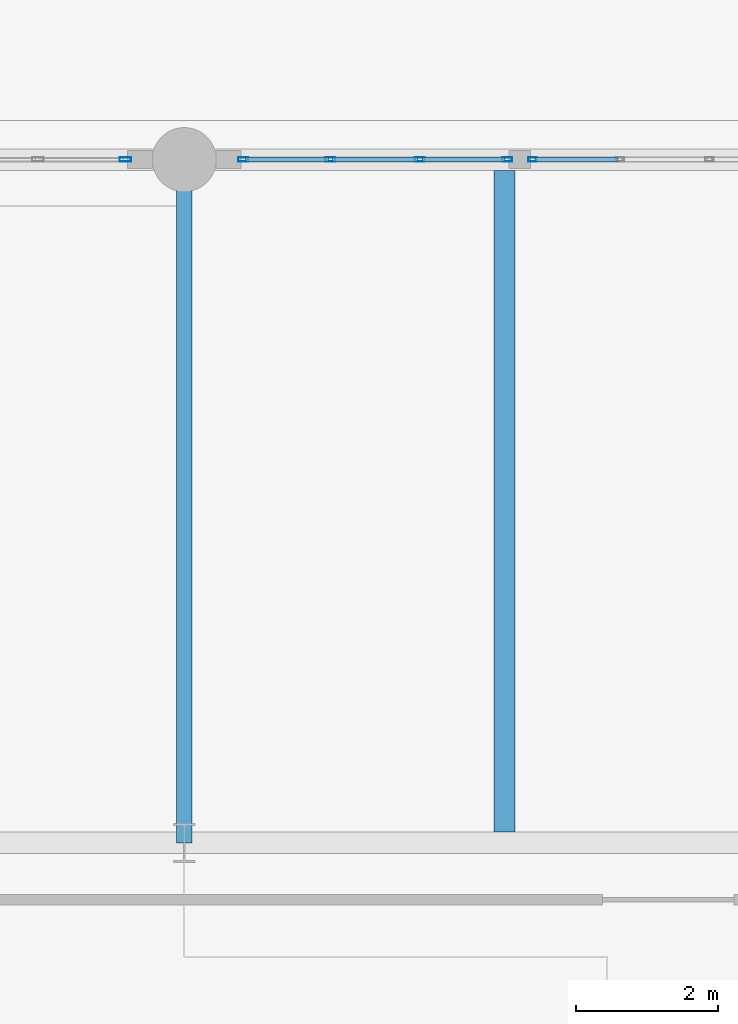
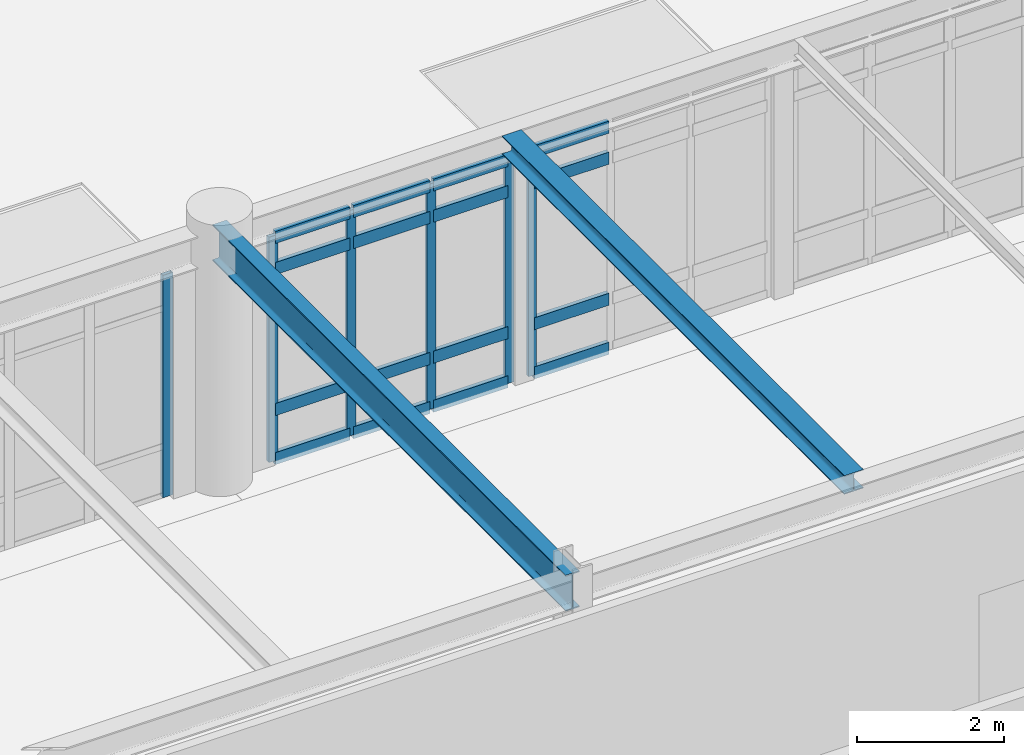
# One storey, part 25 of 55: 22 members, 2 beams, 3 elements without a shape of their own.
"""IFC4 building model written with IfcOpenShell, lengths in metres."""

from ifc_helpers import new_model, si_unit, direction, frame, origin, origin_2d, place, context, subcontext, project, spatial, hollow_rectangle, i_section, extrude, material, layer, layer_set, material_profile, profile_set, type_object, element, aggregate, save


model = new_model("IFC4")

# Units and contexts
model_context = context("Model", 3, precision=1e-05, world=origin(), true_north=direction((0.0, 1.0)))
body_context = subcontext(model_context, "Body", "Model", "MODEL_VIEW")
ifc_project = project(units=[si_unit("LENGTHUNIT", "METRE"), si_unit("AREAUNIT", "SQUARE_METRE"), si_unit("VOLUMEUNIT", "CUBIC_METRE"), si_unit("PLANEANGLEUNIT", "RADIAN"), si_unit("MASSUNIT", "GRAM", prefix="KILO")], contexts=[model_context])

# Site, building, storey
site_placement = place(None, origin())
site = spatial("IfcSite", under=ifc_project, at=site_placement, CompositionType="ELEMENT")
building_placement = place(site_placement, origin())
building = spatial("IfcBuilding", under=site, at=building_placement, Name="Fikremerkos Civic Library", CompositionType="ELEMENT")
storey_placement = place(building_placement, frame((0.0, 0.0, 18.89990234375)))
storey = spatial("IfcBuildingStorey", under=building, at=storey_placement, Name="L04", CompositionType="ELEMENT", Elevation=18.89990234375)

# Curtain wall, member
ifc_material_1 = material(Name="Anodized aluminium Frame", Category="aluminium")
ifc_layer_1 = layer(ifc_material_1, 0.159912109375, Name="Anodized aluminium Frame")
ifc_layer_set_1 = layer_set([ifc_layer_1], Name="Anodized aluminium Frame")
curtain_wall_type_1 = type_object("IfcCurtainWallType", Name="Unitised curtain wall CW-06 4200x4100", PredefinedType="USERDEFINED", material=ifc_layer_set_1)
curtain_wall_1_placement = place(storey_placement, origin())
curtain_wall_1 = element("IfcCurtainWall", 1, at=curtain_wall_1_placement, inside=storey, type_object=curtain_wall_type_1, Name="Unitised curtain wall CW-06 L04 #240", ObjectType="UNITISED CURTAIN WALL", PredefinedType="USERDEFINED")
ifc_material_profile_1 = material_profile(ifc_material_1, hollow_rectangle(XDim=0.06005859375, YDim=0.159912109375, WallThickness=0.00390625, at=origin_2d()), Name="ALU 160x60x4")
ifc_profile_set_1 = profile_set([ifc_material_profile_1], Name="Anodized aluminium Frame")
member_type_1 = type_object("IfcMemberType", Name="Curtain mullion CWM-02 ALU 160x60x4", PredefinedType="MULLION", material=ifc_profile_set_1)
member_1_placement = place(storey_placement, frame((72.3720703125, 31.199951171875, 0.0), z_axis=(0.0, 0.0, 1.0), x_axis=(0.0, 1.0, 0.0)))
member_1 = element("IfcMember", 2, at=member_1_placement, type_object=member_type_1, Name="CW-06 mullion 4", PredefinedType="MULLION", context=body_context, shape_type="SweptSolid", body=[
    extrude(hollow_rectangle(XDim=0.06005859375, YDim=0.159912109375, WallThickness=0.00390625, at=origin_2d()), origin(), (0.0, 0.0, 1.0), 3.690185546875),
])
aggregate(curtain_wall_1, [member_1])

# Curtain wall, members
ifc_layer_2 = layer(ifc_material_1, 0.159912109375, Name="Anodized aluminium Frame")
ifc_layer_set_2 = layer_set([ifc_layer_2], Name="Anodized aluminium Frame")
curtain_wall_type_2 = type_object("IfcCurtainWallType", Name="Unitised curtain wall CW-07 3500x4100", PredefinedType="USERDEFINED", material=ifc_layer_set_2)
curtain_wall_2_placement = place(storey_placement, origin())
curtain_wall_2 = element("IfcCurtainWall", 3, at=curtain_wall_2_placement, inside=storey, type_object=curtain_wall_type_2, Name="Unitised curtain wall CW-07 L04 #241", ObjectType="UNITISED CURTAIN WALL", PredefinedType="USERDEFINED")
ifc_material_profile_2 = material_profile(ifc_material_1, hollow_rectangle(XDim=0.06005859375, YDim=0.139892578125, WallThickness=0.00390625, at=origin_2d()), Name="ALU 140x60x4")
ifc_profile_set_2 = profile_set([ifc_material_profile_2], Name="Anodized aluminium Frame")
member_type_2 = type_object("IfcMemberType", Name="Curtain mullion CWM-03 ALU 140x60x4", PredefinedType="MULLION", material=ifc_profile_set_2)
member_2_placement = place(storey_placement, frame((74.028076171875, 31.199951171875, 0.0), z_axis=(0.0, 0.0, 1.0), x_axis=(0.0, 1.0, 0.0)))
member_2 = element("IfcMember", 4, at=member_2_placement, type_object=member_type_2, Name="CW-07 mullion 1", PredefinedType="MULLION", context=body_context, shape_type="SweptSolid", body=[
    extrude(hollow_rectangle(XDim=0.06005859375, YDim=0.139892578125, WallThickness=0.00390625, at=origin_2d()), origin(), (0.0, 0.0, 1.0), 3.739990234375),
])
member_3_placement = place(storey_placement, frame((75.25390625, 31.199951171875, 0.0), z_axis=(0.0, 0.0, 1.0), x_axis=(0.0, 1.0, 0.0)))
member_3 = element("IfcMember", 5, at=member_3_placement, type_object=member_type_2, Name="CW-07 mullion 2", PredefinedType="MULLION", context=body_context, shape_type="SweptSolid", body=[
    extrude(hollow_rectangle(XDim=0.06005859375, YDim=0.139892578125, WallThickness=0.00390625, at=origin_2d()), origin(), (0.0, 0.0, 1.0), 3.739990234375),
])
member_4_placement = place(storey_placement, frame((76.510009765625, 31.199951171875, 0.0), z_axis=(0.0, 0.0, 1.0), x_axis=(0.0, 1.0, 0.0)))
member_4 = element("IfcMember", 6, at=member_4_placement, type_object=member_type_2, Name="CW-07 mullion 3", PredefinedType="MULLION", context=body_context, shape_type="SweptSolid", body=[
    extrude(hollow_rectangle(XDim=0.06005859375, YDim=0.139892578125, WallThickness=0.00390625, at=origin_2d()), origin(), (0.0, 0.0, 1.0), 3.739990234375),
])
member_5_placement = place(storey_placement, frame((77.736083984375, 31.199951171875, 0.0), z_axis=(0.0, 0.0, 1.0), x_axis=(0.0, 1.0, 0.0)))
member_5 = element("IfcMember", 7, at=member_5_placement, type_object=member_type_2, Name="CW-07 mullion 4", PredefinedType="MULLION", context=body_context, shape_type="SweptSolid", body=[
    extrude(hollow_rectangle(XDim=0.06005859375, YDim=0.139892578125, WallThickness=0.00390625, at=origin_2d()), origin(), (0.0, 0.0, 1.0), 3.739990234375),
])

# Curtain wall, member
ifc_layer_3 = layer(ifc_material_1, 0.159912109375, Name="Anodized aluminium Frame")
ifc_layer_set_3 = layer_set([ifc_layer_3], Name="Anodized aluminium Frame")
curtain_wall_type_3 = type_object("IfcCurtainWallType", Name="Unitised curtain wall CW-08 4500x4100", PredefinedType="USERDEFINED", material=ifc_layer_set_3)
curtain_wall_3_placement = place(storey_placement, origin())
curtain_wall_3 = element("IfcCurtainWall", 8, at=curtain_wall_3_placement, inside=storey, type_object=curtain_wall_type_3, Name="Unitised curtain wall CW-08 L04 #242", ObjectType="UNITISED CURTAIN WALL", PredefinedType="USERDEFINED")
ifc_material_profile_3 = material_profile(ifc_material_1, hollow_rectangle(XDim=0.06005859375, YDim=0.1201171875, WallThickness=0.00390625, at=origin_2d()), Name="ALU 120x60x4")
ifc_profile_set_3 = profile_set([ifc_material_profile_3], Name="Anodized aluminium Frame")
member_type_3 = type_object("IfcMemberType", Name="Curtain mullion CWM-04 ALU 120x60x4", PredefinedType="MULLION", material=ifc_profile_set_3)
member_6_placement = place(storey_placement, frame((78.095947265625, 31.199951171875, 0.0), z_axis=(0.0, 0.0, 1.0), x_axis=(0.0, 1.0, 0.0)))
member_6 = element("IfcMember", 9, at=member_6_placement, type_object=member_type_3, Name="CW-08 mullion 1", PredefinedType="MULLION", context=body_context, shape_type="SweptSolid", body=[
    extrude(hollow_rectangle(XDim=0.06005859375, YDim=0.1201171875, WallThickness=0.00390625, at=origin_2d()), origin(), (0.0, 0.0, 1.0), 3.739990234375),
])

# Member
ifc_material_profile_4 = material_profile(ifc_material_1, hollow_rectangle(XDim=0.070068359375, YDim=0.199951171875, WallThickness=0.0048828125, at=origin_2d()), Name="ALU 200x70x5")
ifc_profile_set_4 = profile_set([ifc_material_profile_4], Name="Anodized aluminium Frame")
member_type_4 = type_object("IfcMemberType", Name="Curtain transom CWT-04 ALU 200x70x5", PredefinedType="USERDEFINED", material=ifc_profile_set_4)
member_7_placement = place(storey_placement, frame((74.05810546875, 31.199951171875, 0.03515625), z_axis=(1.0, 0.0, 0.0), x_axis=(0.0, 1.0, 0.0)))
member_7 = element("IfcMember", 10, at=member_7_placement, type_object=member_type_4, Name="CW-07 transom 1.1", ObjectType="TRANSOM", PredefinedType="USERDEFINED", context=body_context, shape_type="SweptSolid", body=[
    extrude(hollow_rectangle(XDim=0.070068359375, YDim=0.199951171875, WallThickness=0.0048828125, at=origin_2d()), origin(), (0.0, 0.0, 1.0), 1.166015625),
])

member_8_placement = place(storey_placement, frame((74.05810546875, 31.199951171875, 0.85009765625), z_axis=(1.0, 0.0, 0.0), x_axis=(0.0, 1.0, 0.0)))
member_8 = element("IfcMember", 11, at=member_8_placement, type_object=member_type_4, Name="CW-07 transom 1.2", ObjectType="TRANSOM", PredefinedType="USERDEFINED", context=body_context, shape_type="SweptSolid", body=[
    extrude(hollow_rectangle(XDim=0.070068359375, YDim=0.199951171875, WallThickness=0.0048828125, at=origin_2d()), origin(), (0.0, 0.0, 1.0), 1.166015625),
])

member_9_placement = place(storey_placement, frame((74.05810546875, 31.199951171875, 3.190185546875), z_axis=(1.0, 0.0, 0.0), x_axis=(0.0, 1.0, 0.0)))
member_9 = element("IfcMember", 12, at=member_9_placement, type_object=member_type_4, Name="CW-07 transom 1.3", ObjectType="TRANSOM", PredefinedType="USERDEFINED", context=body_context, shape_type="SweptSolid", body=[
    extrude(hollow_rectangle(XDim=0.070068359375, YDim=0.199951171875, WallThickness=0.0048828125, at=origin_2d()), origin(), (0.0, 0.0, 1.0), 1.166015625),
])

member_10_placement = place(storey_placement, frame((74.05810546875, 31.199951171875, 3.705078125), z_axis=(1.0, 0.0, 0.0), x_axis=(0.0, 1.0, 0.0)))
member_10 = element("IfcMember", 13, at=member_10_placement, type_object=member_type_4, Name="CW-07 transom 1.4", ObjectType="TRANSOM", PredefinedType="USERDEFINED", context=body_context, shape_type="SweptSolid", body=[
    extrude(hollow_rectangle(XDim=0.070068359375, YDim=0.199951171875, WallThickness=0.0048828125, at=origin_2d()), origin(), (0.0, 0.0, 1.0), 1.166015625),
])

member_11_placement = place(storey_placement, frame((75.283935546875, 31.199951171875, 0.03515625), z_axis=(1.0, 0.0, 0.0), x_axis=(0.0, 1.0, 0.0)))
member_11 = element("IfcMember", 14, at=member_11_placement, type_object=member_type_4, Name="CW-07 transom 2.1", ObjectType="TRANSOM", PredefinedType="USERDEFINED", context=body_context, shape_type="SweptSolid", body=[
    extrude(hollow_rectangle(XDim=0.070068359375, YDim=0.199951171875, WallThickness=0.0048828125, at=origin_2d()), origin(), (0.0, 0.0, 1.0), 1.196044921875),
])

member_12_placement = place(storey_placement, frame((75.283935546875, 31.199951171875, 0.85009765625), z_axis=(1.0, 0.0, 0.0), x_axis=(0.0, 1.0, 0.0)))
member_12 = element("IfcMember", 15, at=member_12_placement, type_object=member_type_4, Name="CW-07 transom 2.2", ObjectType="TRANSOM", PredefinedType="USERDEFINED", context=body_context, shape_type="SweptSolid", body=[
    extrude(hollow_rectangle(XDim=0.070068359375, YDim=0.199951171875, WallThickness=0.0048828125, at=origin_2d()), origin(), (0.0, 0.0, 1.0), 1.196044921875),
])

member_13_placement = place(storey_placement, frame((75.283935546875, 31.199951171875, 3.190185546875), z_axis=(1.0, 0.0, 0.0), x_axis=(0.0, 1.0, 0.0)))
member_13 = element("IfcMember", 16, at=member_13_placement, type_object=member_type_4, Name="CW-07 transom 2.3", ObjectType="TRANSOM", PredefinedType="USERDEFINED", context=body_context, shape_type="SweptSolid", body=[
    extrude(hollow_rectangle(XDim=0.070068359375, YDim=0.199951171875, WallThickness=0.0048828125, at=origin_2d()), origin(), (0.0, 0.0, 1.0), 1.196044921875),
])

member_14_placement = place(storey_placement, frame((75.283935546875, 31.199951171875, 3.705078125), z_axis=(1.0, 0.0, 0.0), x_axis=(0.0, 1.0, 0.0)))
member_14 = element("IfcMember", 17, at=member_14_placement, type_object=member_type_4, Name="CW-07 transom 2.4", ObjectType="TRANSOM", PredefinedType="USERDEFINED", context=body_context, shape_type="SweptSolid", body=[
    extrude(hollow_rectangle(XDim=0.070068359375, YDim=0.199951171875, WallThickness=0.0048828125, at=origin_2d()), origin(), (0.0, 0.0, 1.0), 1.196044921875),
])

member_15_placement = place(storey_placement, frame((76.5400390625, 31.199951171875, 0.03515625), z_axis=(1.0, 0.0, 0.0), x_axis=(0.0, 1.0, 0.0)))
member_15 = element("IfcMember", 18, at=member_15_placement, type_object=member_type_4, Name="CW-07 transom 3.1", ObjectType="TRANSOM", PredefinedType="USERDEFINED", context=body_context, shape_type="SweptSolid", body=[
    extrude(hollow_rectangle(XDim=0.070068359375, YDim=0.199951171875, WallThickness=0.0048828125, at=origin_2d()), origin(), (0.0, 0.0, 1.0), 1.166015625),
])

member_16_placement = place(storey_placement, frame((76.5400390625, 31.199951171875, 0.85009765625), z_axis=(1.0, 0.0, 0.0), x_axis=(0.0, 1.0, 0.0)))
member_16 = element("IfcMember", 19, at=member_16_placement, type_object=member_type_4, Name="CW-07 transom 3.2", ObjectType="TRANSOM", PredefinedType="USERDEFINED", context=body_context, shape_type="SweptSolid", body=[
    extrude(hollow_rectangle(XDim=0.070068359375, YDim=0.199951171875, WallThickness=0.0048828125, at=origin_2d()), origin(), (0.0, 0.0, 1.0), 1.166015625),
])

member_17_placement = place(storey_placement, frame((76.5400390625, 31.199951171875, 3.190185546875), z_axis=(1.0, 0.0, 0.0), x_axis=(0.0, 1.0, 0.0)))
member_17 = element("IfcMember", 20, at=member_17_placement, type_object=member_type_4, Name="CW-07 transom 3.3", ObjectType="TRANSOM", PredefinedType="USERDEFINED", context=body_context, shape_type="SweptSolid", body=[
    extrude(hollow_rectangle(XDim=0.070068359375, YDim=0.199951171875, WallThickness=0.0048828125, at=origin_2d()), origin(), (0.0, 0.0, 1.0), 1.166015625),
])

member_18_placement = place(storey_placement, frame((76.5400390625, 31.199951171875, 3.705078125), z_axis=(1.0, 0.0, 0.0), x_axis=(0.0, 1.0, 0.0)))
member_18 = element("IfcMember", 21, at=member_18_placement, type_object=member_type_4, Name="CW-07 transom 3.4", ObjectType="TRANSOM", PredefinedType="USERDEFINED", context=body_context, shape_type="SweptSolid", body=[
    extrude(hollow_rectangle(XDim=0.070068359375, YDim=0.199951171875, WallThickness=0.0048828125, at=origin_2d()), origin(), (0.0, 0.0, 1.0), 1.166015625),
])

aggregate(curtain_wall_2, [member_2, member_3, member_4, member_5, member_7, member_8, member_9, member_10, member_11, member_12, member_13, member_14, member_15, member_16, member_17, member_18])

member_19_placement = place(storey_placement, frame((78.1259765625, 31.199951171875, 0.03515625), z_axis=(1.0, 0.0, 0.0), x_axis=(0.0, 1.0, 0.0)))
member_19 = element("IfcMember", 22, at=member_19_placement, type_object=member_type_4, Name="CW-08 transom 1.1", ObjectType="TRANSOM", PredefinedType="USERDEFINED", context=body_context, shape_type="SweptSolid", body=[
    extrude(hollow_rectangle(XDim=0.070068359375, YDim=0.199951171875, WallThickness=0.0048828125, at=origin_2d()), origin(), (0.0, 0.0, 1.0), 1.166015625),
])

member_20_placement = place(storey_placement, frame((78.1259765625, 31.199951171875, 0.85009765625), z_axis=(1.0, 0.0, 0.0), x_axis=(0.0, 1.0, 0.0)))
member_20 = element("IfcMember", 23, at=member_20_placement, type_object=member_type_4, Name="CW-08 transom 1.2", ObjectType="TRANSOM", PredefinedType="USERDEFINED", context=body_context, shape_type="SweptSolid", body=[
    extrude(hollow_rectangle(XDim=0.070068359375, YDim=0.199951171875, WallThickness=0.0048828125, at=origin_2d()), origin(), (0.0, 0.0, 1.0), 1.166015625),
])

member_21_placement = place(storey_placement, frame((78.1259765625, 31.199951171875, 3.190185546875), z_axis=(1.0, 0.0, 0.0), x_axis=(0.0, 1.0, 0.0)))
member_21 = element("IfcMember", 24, at=member_21_placement, type_object=member_type_4, Name="CW-08 transom 1.3", ObjectType="TRANSOM", PredefinedType="USERDEFINED", context=body_context, shape_type="SweptSolid", body=[
    extrude(hollow_rectangle(XDim=0.070068359375, YDim=0.199951171875, WallThickness=0.0048828125, at=origin_2d()), origin(), (0.0, 0.0, 1.0), 1.166015625),
])

member_22_placement = place(storey_placement, frame((78.1259765625, 31.199951171875, 3.705078125), z_axis=(1.0, 0.0, 0.0), x_axis=(0.0, 1.0, 0.0)))
member_22 = element("IfcMember", 25, at=member_22_placement, type_object=member_type_4, Name="CW-08 transom 1.4", ObjectType="TRANSOM", PredefinedType="USERDEFINED", context=body_context, shape_type="SweptSolid", body=[
    extrude(hollow_rectangle(XDim=0.070068359375, YDim=0.199951171875, WallThickness=0.0048828125, at=origin_2d()), origin(), (0.0, 0.0, 1.0), 1.166015625),
])

aggregate(curtain_wall_3, [member_6, member_19, member_20, member_21, member_22])

# Beams
ifc_material_2 = material(Name="Steel S355", Category="steel")
ifc_material_profile_5 = material_profile(ifc_material_2, i_section(OverallWidth=0.300048828125, OverallDepth=0.31005859375, WebThickness=0.009033203125, FlangeThickness=0.015380859375, FilletRadius=0.027099609375, at=origin_2d()), Name="HEA 320")
ifc_profile_set_5 = profile_set([ifc_material_profile_5], Name="Steel S355")
beam_type_1 = type_object("IfcBeamType", Name="Floor joist JS-14 HEA 320", PredefinedType="JOIST", material=ifc_profile_set_5)
beam_1_placement = place(storey_placement, frame((77.699951171875, 21.75, 4.085205078125), z_axis=(0.0, 1.0, 0.0), x_axis=(-1.0, 0.0, 0.0)))
element("IfcBeam", 26, at=beam_1_placement, inside=storey, type_object=beam_type_1, Name="Floor joist JS-14 L04 #588", PredefinedType="JOIST", context=body_context, shape_type="SweptSolid", body=[
    extrude(i_section(OverallWidth=0.300048828125, OverallDepth=0.31005859375, WebThickness=0.009033203125, FlangeThickness=0.015380859375, FilletRadius=0.027099609375, at=origin_2d()), origin(), (0.0, 0.0, 1.0), 9.300048828125),
])
ifc_material_profile_6 = material_profile(ifc_material_2, i_section(OverallWidth=0.219970703125, OverallDepth=0.60009765625, WebThickness=0.011962890625, FlangeThickness=0.01904296875, FilletRadius=0.02392578125, at=origin_2d()), Name="IPE 600")
ifc_profile_set_6 = profile_set([ifc_material_profile_6], Name="Steel S355")
beam_type_2 = type_object("IfcBeamType", Name="Primary girder BM-20 IPE 600", PredefinedType="BEAM", material=ifc_profile_set_6)
beam_2_placement = place(storey_placement, frame((73.199951171875, 21.60009765625, 3.940185546875), z_axis=(0.0, 1.0, 0.0), x_axis=(-1.0, 0.0, 0.0)))
element("IfcBeam", 27, at=beam_2_placement, inside=storey, type_object=beam_type_2, Name="Primary girder BM-20 L04 grid 7", PredefinedType="BEAM", context=body_context, shape_type="SweptSolid", body=[
    extrude(i_section(OverallWidth=0.219970703125, OverallDepth=0.60009765625, WebThickness=0.011962890625, FlangeThickness=0.01904296875, FilletRadius=0.02392578125, at=origin_2d()), origin(), (0.0, 0.0, 1.0), 9.599853515625),
])

save(model, "model.ifc")
